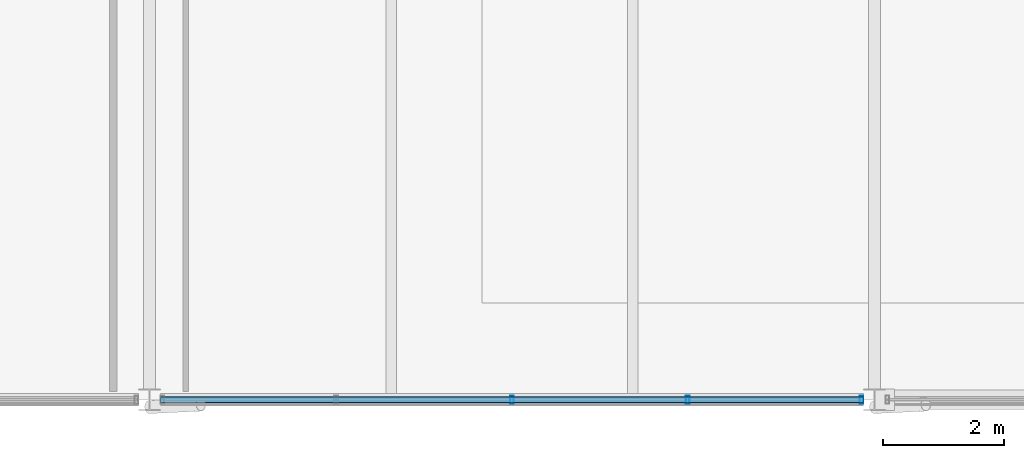
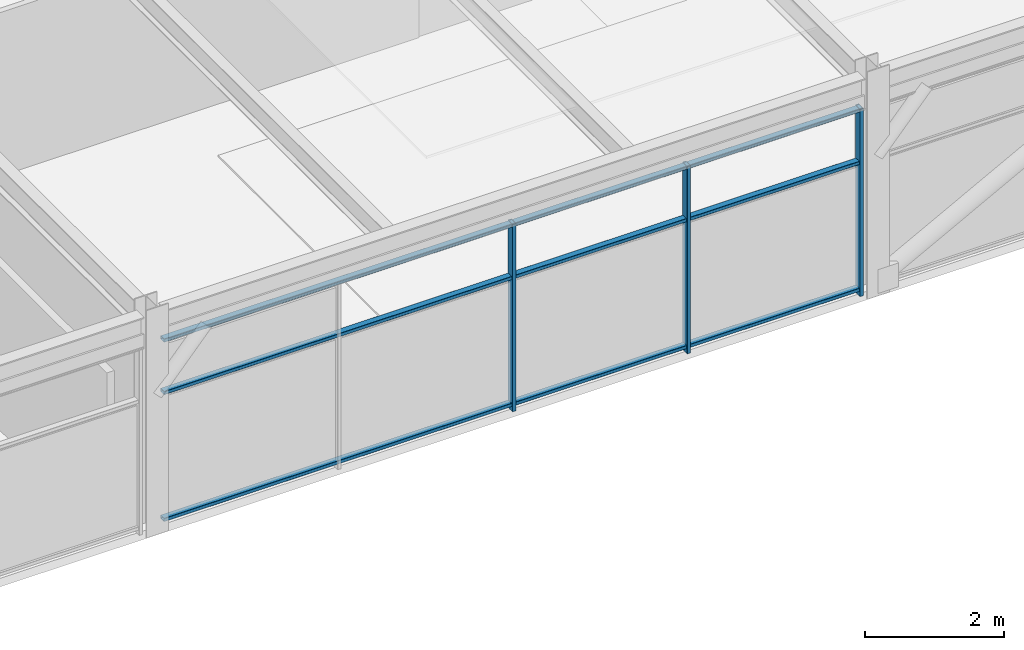
# One storey, part 14 of 32: 6 members, 1 element without a shape of its own.
"""IFC4 building model written with IfcOpenShell, lengths in metres."""

from ifc_helpers import new_model, si_unit, direction, frame, origin, origin_2d, place, context, subcontext, project, spatial, hollow_rectangle, extrude, material, material_profile, profile_set, type_object, element, aggregate, save


model = new_model("IFC4")

# Units and contexts
model_context = context("Model", 3, precision=1e-05, world=origin(), true_north=direction((0.0, 1.0)))
body_context = subcontext(model_context, "Body", "Model", "MODEL_VIEW")
ifc_project = project(units=[si_unit("LENGTHUNIT", "METRE"), si_unit("AREAUNIT", "SQUARE_METRE"), si_unit("VOLUMEUNIT", "CUBIC_METRE"), si_unit("PLANEANGLEUNIT", "RADIAN"), si_unit("MASSUNIT", "GRAM", prefix="KILO")], contexts=[model_context])

# Site, building, storey
site_placement = place(None, origin())
site = spatial("IfcSite", under=ifc_project, at=site_placement, CompositionType="ELEMENT")
building_placement = place(site_placement, origin())
building = spatial("IfcBuilding", under=site, at=building_placement, Name="Girod Span Mobility Hub", CompositionType="ELEMENT")
storey_placement = place(building_placement, frame((0.0, 0.0, 61.60009765625)))
storey = spatial("IfcBuildingStorey", under=building, at=storey_placement, Name="L15", CompositionType="ELEMENT", Elevation=61.60009765625)

# Curtain wall, members
ifc_material_1 = material(Name="Thermally Broken Anodised Aluminium", Category="aluminium")
curtain_wall_type = type_object("IfcCurtainWallType", Name="CW-1164X330", PredefinedType="USERDEFINED", material=ifc_material_1)
curtain_wall_placement = place(storey_placement, origin())
curtain_wall = element("IfcCurtainWall", 1, at=curtain_wall_placement, inside=storey, type_object=curtain_wall_type, Name="Unitised Curtain Wall CW-L15-S08 L15", ObjectType="UNITISED CURTAIN WALL", PredefinedType="USERDEFINED")
ifc_material_2 = material(Name="Thermally Broken Anodised Aluminium", Category="aluminium")
ifc_material_profile_1 = material_profile(ifc_material_2, hollow_rectangle(XDim=0.139892578125, YDim=0.06005859375, WallThickness=0.00341796875, InnerFilletRadius=0.00341796875, OuterFilletRadius=0.007080078125, at=origin_2d()), Name="CW-ML-60X140")
ifc_profile_set_1 = profile_set([ifc_material_profile_1], Name="Thermally Broken Anodised Aluminium")
member_type_1 = type_object("IfcMemberType", Name="CWM-ML-4", PredefinedType="MULLION", material=ifc_profile_set_1)
member_1_placement = place(storey_placement, frame((90.0, 45.0, 0.0), z_axis=(0.0, 0.0, 1.0), x_axis=(0.0, 1.0, 0.0)))
member_1 = element("IfcMember", 2, at=member_1_placement, type_object=member_type_1, Name="Curtain Wall Mullion CW-L15-S08-M2", PredefinedType="MULLION", context=body_context, shape_type="SweptSolid", body=[
    extrude(hollow_rectangle(XDim=0.139892578125, YDim=0.06005859375, WallThickness=0.00341796875, InnerFilletRadius=0.00341796875, OuterFilletRadius=0.007080078125, at=origin_2d()), origin(), (0.0, 0.0, 1.0), 3.2958984375),
])
member_2_placement = place(storey_placement, frame((92.90869140625, 45.0, 0.0), z_axis=(0.0, 0.0, 1.0), x_axis=(0.0, 1.0, 0.0)))
member_2 = element("IfcMember", 3, at=member_2_placement, type_object=member_type_1, Name="Curtain Wall Mullion CW-L15-S08-M3", PredefinedType="MULLION", context=body_context, shape_type="SweptSolid", body=[
    extrude(hollow_rectangle(XDim=0.139892578125, YDim=0.06005859375, WallThickness=0.00341796875, InnerFilletRadius=0.00341796875, OuterFilletRadius=0.007080078125, at=origin_2d()), origin(), (0.0, 0.0, 1.0), 3.2958984375),
])
member_3_placement = place(storey_placement, frame((95.785400390625, 45.0, 0.0), z_axis=(0.0, 0.0, 1.0), x_axis=(0.0, 1.0, 0.0)))
member_3 = element("IfcMember", 4, at=member_3_placement, type_object=member_type_1, Name="Curtain Wall Mullion CW-L15-S08-M4", PredefinedType="MULLION", context=body_context, shape_type="SweptSolid", body=[
    extrude(hollow_rectangle(XDim=0.139892578125, YDim=0.06005859375, WallThickness=0.00341796875, InnerFilletRadius=0.00341796875, OuterFilletRadius=0.007080078125, at=origin_2d()), origin(), (0.0, 0.0, 1.0), 3.2958984375),
])
ifc_material_3 = material(Name="Thermally Broken Anodised Aluminium", Category="aluminium")
ifc_material_profile_2 = material_profile(ifc_material_3, hollow_rectangle(XDim=0.10498046875, YDim=0.06005859375, WallThickness=0.00341796875, InnerFilletRadius=0.00341796875, OuterFilletRadius=0.007080078125, at=origin_2d()), Name="CW-TR-60X105")
ifc_profile_set_2 = profile_set([ifc_material_profile_2], Name="Thermally Broken Anodised Aluminium")
member_type_2 = type_object("IfcMemberType", Name="CWM-TR-4", PredefinedType="USERDEFINED", material=ifc_profile_set_2)
member_4_placement = place(storey_placement, frame((84.1826171875, 45.0, 0.10986328125), z_axis=(1.0, 0.0, 0.0), x_axis=(0.0, 1.0, 0.0)))
member_4 = element("IfcMember", 5, at=member_4_placement, type_object=member_type_2, Name="Curtain Wall Transom CW-L15-S08-T1", ObjectType="TRANSOM", PredefinedType="USERDEFINED", context=body_context, shape_type="SweptSolid", body=[
    extrude(hollow_rectangle(XDim=0.10498046875, YDim=0.06005859375, WallThickness=0.00341796875, InnerFilletRadius=0.00341796875, OuterFilletRadius=0.007080078125, at=origin_2d()), origin(), (0.0, 0.0, 1.0), 11.634765625),
])
member_5_placement = place(storey_placement, frame((84.1826171875, 45.0, 2.343017578125), z_axis=(1.0, 0.0, 0.0), x_axis=(0.0, 1.0, 0.0)))
member_5 = element("IfcMember", 6, at=member_5_placement, type_object=member_type_2, Name="Curtain Wall Transom CW-L15-S08-T2", ObjectType="TRANSOM", PredefinedType="USERDEFINED", context=body_context, shape_type="SweptSolid", body=[
    extrude(hollow_rectangle(XDim=0.10498046875, YDim=0.06005859375, WallThickness=0.00341796875, InnerFilletRadius=0.00341796875, OuterFilletRadius=0.007080078125, at=origin_2d()), origin(), (0.0, 0.0, 1.0), 11.634765625),
])
member_6_placement = place(storey_placement, frame((84.1826171875, 45.0, 3.265869140625), z_axis=(1.0, 0.0, 0.0), x_axis=(0.0, 1.0, 0.0)))
member_6 = element("IfcMember", 7, at=member_6_placement, type_object=member_type_2, Name="Curtain Wall Transom CW-L15-S08-T3", ObjectType="TRANSOM", PredefinedType="USERDEFINED", context=body_context, shape_type="SweptSolid", body=[
    extrude(hollow_rectangle(XDim=0.10498046875, YDim=0.06005859375, WallThickness=0.00341796875, InnerFilletRadius=0.00341796875, OuterFilletRadius=0.007080078125, at=origin_2d()), origin(), (0.0, 0.0, 1.0), 11.634765625),
])
aggregate(curtain_wall, [member_1, member_2, member_3, member_4, member_5, member_6])

save(model, "model.ifc")
